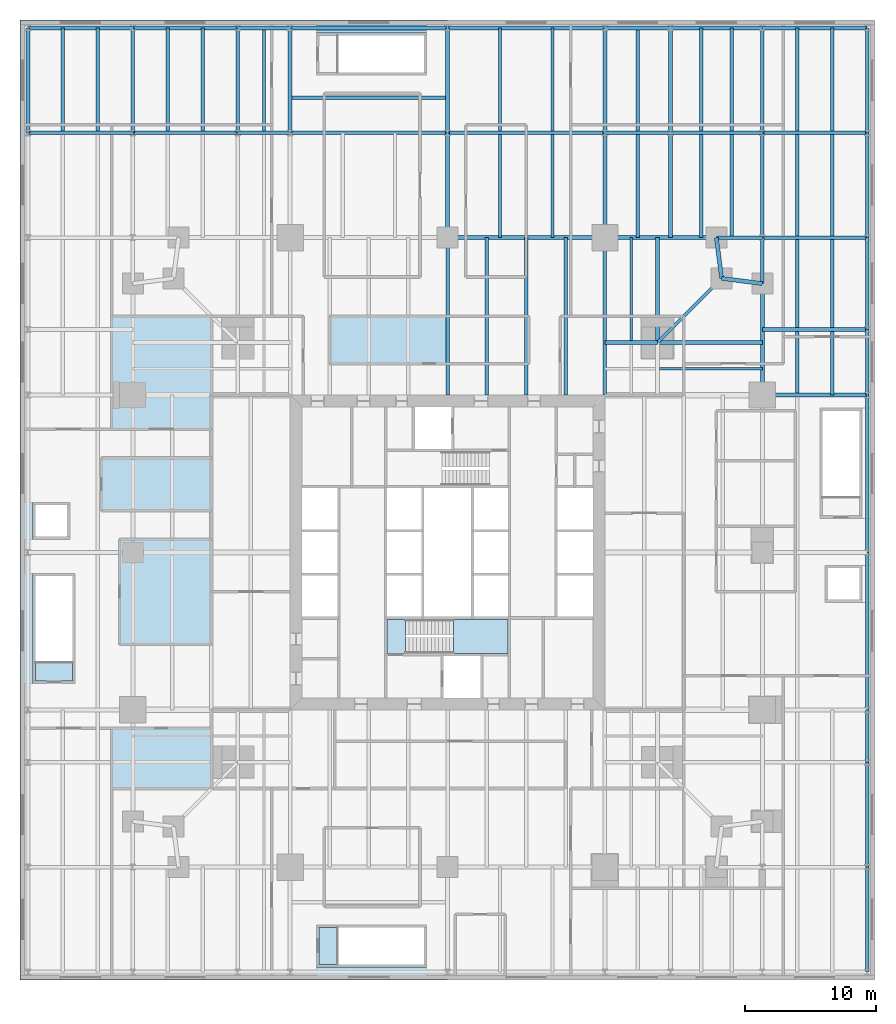
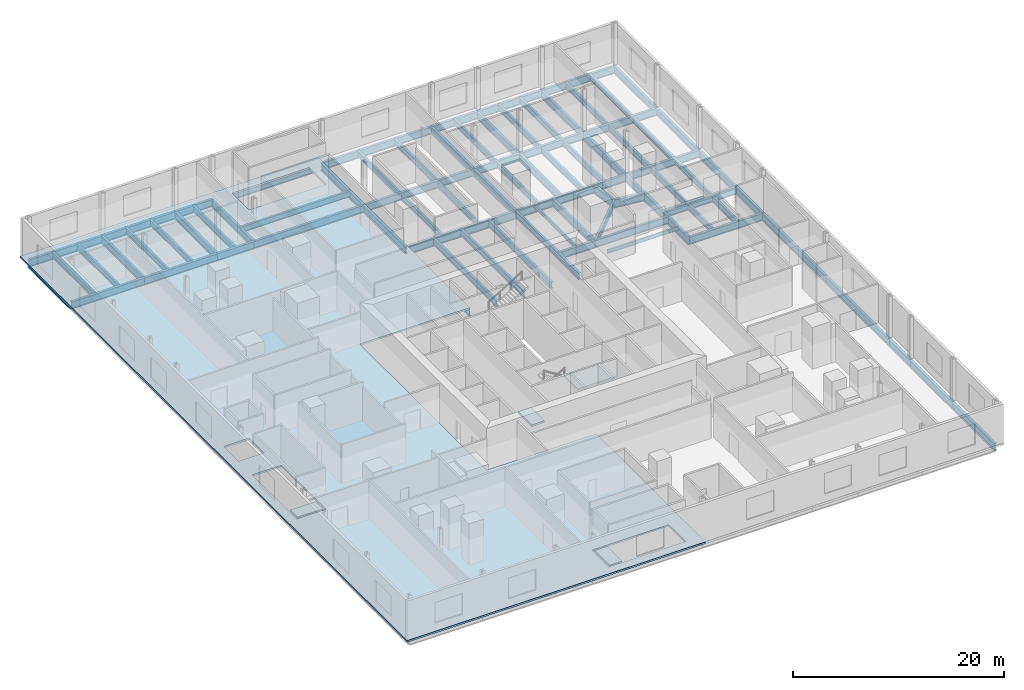
# One storey, part 7 of 15: 82 beams, 5 slabs, 1 element without a shape of its own.
"""IFC4 building model written with IfcOpenShell, lengths in metres."""

from ifc_helpers import new_model, si_unit, direction, frame, origin, origin_2d, place, context, subcontext, project, spatial, polyline, i_section, outline, extrude, material, layer, layer_set, material_profile, profile_set, type_object, element, aggregate, save


model = new_model("IFC4")

# Units and contexts
model_context = context("Model", 3, precision=1e-05, world=origin(), true_north=direction((0.0, 1.0)))
body_context = subcontext(model_context, "Body", "Model", "MODEL_VIEW")
ifc_project = project(units=[si_unit("LENGTHUNIT", "METRE"), si_unit("AREAUNIT", "SQUARE_METRE"), si_unit("VOLUMEUNIT", "CUBIC_METRE"), si_unit("PLANEANGLEUNIT", "RADIAN"), si_unit("MASSUNIT", "GRAM", prefix="KILO")], contexts=[model_context])

# Site, building, storey
site_placement = place(None, origin())
site = spatial("IfcSite", under=ifc_project, at=site_placement, CompositionType="ELEMENT")
building_placement = place(site_placement, origin())
building = spatial("IfcBuilding", under=site, at=building_placement, Name="Fenwick Lantern Interchange", CompositionType="ELEMENT")
storey_placement = place(building_placement, frame((0.0, 0.0, 26.199951171875)))
storey = spatial("IfcBuildingStorey", under=building, at=storey_placement, Name="L05", CompositionType="ELEMENT", Elevation=26.199951171875)

# Beams
ifc_material_1 = material(Name="Steel ASTM A992 Grade 50", Category="steel")
ifc_material_profile_1 = material_profile(ifc_material_1, i_section(OverallWidth=0.309814453125, OverallDepth=0.949951171875, WebThickness=0.0244140625, FlangeThickness=0.0439453125, at=origin_2d()), Name="W36X256")
ifc_profile_set_1 = profile_set([ifc_material_profile_1], Name="Steel ASTM A992 Grade 50")
beam_type_1 = type_object("IfcBeamType", Name="EDGE BEAM W36X256", PredefinedType="SPANDREL", material=ifc_profile_set_1)
beam_1_placement = place(storey_placement, frame((49.0, 37.0, -0.675048828125), z_axis=(0.0, 1.0, 0.0), x_axis=(-1.0, 0.0, 0.0)))
element("IfcBeam", 1, at=beam_1_placement, inside=storey, type_object=beam_type_1, Name="L05/FR/E/EB4", PredefinedType="SPANDREL", context=body_context, shape_type="SweptSolid", body=[
    extrude(i_section(OverallWidth=0.309814453125, OverallDepth=0.949951171875, WebThickness=0.0244140625, FlangeThickness=0.0439453125, at=origin_2d()), origin(), (0.0, 0.0, 1.0), 8.5),
])
for number, where, z_axis, x_axis, name in (
    (2, (49.0, 45.5, -0.675048828125), (-0.991782342897, 0.127936641807, 0.0), (-0.127936641807, -0.991782342897, 0.0), "L05/FR/E/EBR1"),
    (3, (45.89990234375, 45.89990234375, -0.675048828125), (-0.127936641807, 0.991782342897, 0.0), (-0.991782342897, -0.127936641807, 0.0), "L05/FR/E/EBR2"),
):
    element("IfcBeam", number, at=place(storey_placement, frame(where, z_axis=z_axis, x_axis=x_axis)), inside=storey, type_object=beam_type_1, Name=name, PredefinedType="SPANDREL", context=body_context, shape_type="SweptSolid", body=[
        extrude(i_section(OverallWidth=0.309814453125, OverallDepth=0.949951171875, WebThickness=0.0244140625, FlangeThickness=0.0439453125, at=origin_2d()), origin(), (0.0, 0.0, 1.0), 3.125732421875),
    ])
beam_2_placement = place(storey_placement, frame((45.5, 49.0, -0.675048828125), z_axis=(-1.0, 0.0, 0.0), x_axis=(0.0, -1.0, 0.0)))
element("IfcBeam", 4, at=beam_2_placement, inside=storey, type_object=beam_type_1, Name="L05/FR/N/EB1", PredefinedType="SPANDREL", context=body_context, shape_type="SweptSolid", body=[
    extrude(i_section(OverallWidth=0.309814453125, OverallDepth=0.949951171875, WebThickness=0.0244140625, FlangeThickness=0.0439453125, at=origin_2d()), origin(), (0.0, 0.0, 1.0), 8.5),
])
beam_3_placement = place(storey_placement, frame((37.0, 49.0, -0.675048828125), z_axis=(-1.0, 0.0, 0.0), x_axis=(0.0, -1.0, 0.0)))
element("IfcBeam", 5, at=beam_3_placement, inside=storey, type_object=beam_type_1, Name="L05/FR/N/EB2", PredefinedType="SPANDREL", context=body_context, shape_type="SweptSolid", body=[
    extrude(i_section(OverallWidth=0.309814453125, OverallDepth=0.949951171875, WebThickness=0.0244140625, FlangeThickness=0.0439453125, at=origin_2d()), origin(), (0.0, 0.0, 1.0), 12.0),
])
ifc_material_profile_2 = material_profile(ifc_material_1, i_section(OverallWidth=0.2666015625, OverallDepth=0.7568359375, WebThickness=0.013916015625, FlangeThickness=0.019287109375, at=origin_2d()), Name="W30X108")
ifc_profile_set_2 = profile_set([ifc_material_profile_2], Name="Steel ASTM A992 Grade 50")
beam_type_2 = type_object("IfcBeamType", Name="FLOOR BEAM W30X108", PredefinedType="BEAM", material=ifc_profile_set_2)
for number, where, z_axis, x_axis, name in (
    (6, (34.0, 49.0, -0.578369140625), (0.0, -1.0, 0.0), (1.0, 0.0, 0.0), "L05/FR/N/R02"),
    (7, (31.0, 49.0, -0.578369140625), (0.0, -1.0, 0.0), (1.0, 0.0, 0.0), "L05/FR/N/R03"),
    (8, (28.0, 49.0, -0.578369140625), (0.0, -1.0, 0.0), (1.0, 0.0, 0.0), "L05/FR/N/R04"),
):
    element("IfcBeam", number, at=place(storey_placement, frame(where, z_axis=z_axis, x_axis=x_axis)), inside=storey, type_object=beam_type_2, Name=name, PredefinedType="BEAM", context=body_context, shape_type="SweptSolid", body=[
        extrude(i_section(OverallWidth=0.2666015625, OverallDepth=0.7568359375, WebThickness=0.013916015625, FlangeThickness=0.019287109375, at=origin_2d()), origin(), (0.0, 0.0, 1.0), 12.0),
    ])
ifc_material_profile_3 = material_profile(ifc_material_1, i_section(OverallWidth=0.177734375, OverallDepth=0.406494140625, WebThickness=0.0078125, FlangeThickness=0.012939453125, at=origin_2d()), Name="W16X40")
ifc_profile_set_3 = profile_set([ifc_material_profile_3], Name="Steel ASTM A992 Grade 50")
beam_type_3 = type_object("IfcBeamType", Name="INFILL BEAM W16X40", PredefinedType="JOIST", material=ifc_profile_set_3)
for number, where, z_axis, x_axis, name in (
    (9, (39.0, 49.0, -0.403076171875), (0.0, -1.0, 0.0), (1.0, 0.0, 0.0), "L05/FR/N/J1"),
    (10, (49.0, 39.0, -0.403076171875), (-1.0, 0.0, 0.0), (0.0, -1.0, 0.0), "L05/FR/N/J3"),
):
    element("IfcBeam", number, at=place(storey_placement, frame(where, z_axis=z_axis, x_axis=x_axis)), inside=storey, type_object=beam_type_3, Name=name, PredefinedType="JOIST", context=body_context, shape_type="SweptSolid", body=[
        extrude(i_section(OverallWidth=0.177734375, OverallDepth=0.406494140625, WebThickness=0.0078125, FlangeThickness=0.012939453125, at=origin_2d()), origin(), (0.0, 0.0, 1.0), 7.85400390625),
    ])
ifc_material_profile_4 = material_profile(ifc_material_1, i_section(OverallWidth=0.2919921875, OverallDepth=0.845703125, WebThickness=0.015380859375, FlangeThickness=0.0244140625, at=origin_2d()), Name="W33X141")
ifc_profile_set_4 = profile_set([ifc_material_profile_4], Name="Steel ASTM A992 Grade 50")
beam_type_4 = type_object("IfcBeamType", Name="MEGA COLUMN BEAM W33X141", PredefinedType="BEAM", material=ifc_profile_set_4)
for number, where, z_axis, x_axis, name in (
    (11, (41.0, 41.0, -0.622802734375), (0.0, 1.0, 0.0), (-1.0, 0.0, 0.0), "L05/FR/N/MB1"),
    (12, (41.0, 41.0, -0.622802734375), (1.0, 0.0, 0.0), (0.0, 1.0, 0.0), "L05/FR/N/MB2"),
):
    element("IfcBeam", number, at=place(storey_placement, frame(where, z_axis=z_axis, x_axis=x_axis)), inside=storey, type_object=beam_type_4, Name=name, PredefinedType="BEAM", context=body_context, shape_type="SweptSolid", body=[
        extrude(i_section(OverallWidth=0.2919921875, OverallDepth=0.845703125, WebThickness=0.015380859375, FlangeThickness=0.0244140625, at=origin_2d()), origin(), (0.0, 0.0, 1.0), 8.0),
    ])
beam_4_placement = place(storey_placement, frame((41.0, 41.0, -0.622802734375), z_axis=(-1.0, 0.0, 0.0), x_axis=(0.0, -1.0, 0.0)))
element("IfcBeam", 13, at=beam_4_placement, inside=storey, type_object=beam_type_4, Name="L05/FR/N/MB3", PredefinedType="BEAM", context=body_context, shape_type="SweptSolid", body=[
    extrude(i_section(OverallWidth=0.2919921875, OverallDepth=0.845703125, WebThickness=0.015380859375, FlangeThickness=0.0244140625, at=origin_2d()), origin(), (0.0, 0.0, 1.0), 4.0),
])
ifc_material_profile_5 = material_profile(ifc_material_1, i_section(OverallWidth=0.2666015625, OverallDepth=0.76953125, WebThickness=0.015625, FlangeThickness=0.025390625, at=origin_2d()), Name="W30X132")
ifc_profile_set_5 = profile_set([ifc_material_profile_5], Name="Steel ASTM A992 Grade 50")
beam_type_5 = type_object("IfcBeamType", Name="MOMENT-CONNECTED GIRDER W30X132", PredefinedType="BEAM", material=ifc_profile_set_5)
for number, where, z_axis, x_axis, name in (
    (14, (37.0, 49.0, -0.584716796875), (0.0, -1.0, 0.0), (1.0, 0.0, 0.0), "L05/FR/N/R01"),
    (15, (25.0, 49.0, -0.584716796875), (0.0, -1.0, 0.0), (1.0, 0.0, 0.0), "L05/FR/N/R05"),
):
    element("IfcBeam", number, at=place(storey_placement, frame(where, z_axis=z_axis, x_axis=x_axis)), inside=storey, type_object=beam_type_5, Name=name, PredefinedType="BEAM", context=body_context, shape_type="SweptSolid", body=[
        extrude(i_section(OverallWidth=0.2666015625, OverallDepth=0.76953125, WebThickness=0.015625, FlangeThickness=0.025390625, at=origin_2d()), origin(), (0.0, 0.0, 1.0), 12.0),
    ])
ifc_material_profile_6 = material_profile(ifc_material_1, i_section(OverallWidth=0.2919921875, OverallDepth=0.845703125, WebThickness=0.015380859375, FlangeThickness=0.0244140625, at=origin_2d()), Name="W33X141")
ifc_profile_set_6 = profile_set([ifc_material_profile_6], Name="Steel ASTM A992 Grade 50")
beam_type_6 = type_object("IfcBeamType", Name="MOMENT-CONNECTED PODIUM GIRDER W33X141", PredefinedType="BEAM", material=ifc_profile_set_6)
for number, where, z_axis, x_axis, name in (
    (16, (49.0, 37.0, -0.622802734375), (1.0, 0.0, 0.0), (0.0, 1.0, 0.0), "L05/PF/G020"),
    (17, (49.0, 42.0, -0.622802734375), (1.0, 0.0, 0.0), (0.0, 1.0, 0.0), "L05/PF/G022"),
):
    element("IfcBeam", number, at=place(storey_placement, frame(where, z_axis=z_axis, x_axis=x_axis)), inside=storey, type_object=beam_type_6, Name=name, PredefinedType="BEAM", context=body_context, shape_type="SweptSolid", body=[
        extrude(i_section(OverallWidth=0.2919921875, OverallDepth=0.845703125, WebThickness=0.015380859375, FlangeThickness=0.0244140625, at=origin_2d()), origin(), (0.0, 0.0, 1.0), 8.0),
    ])
beam_5_placement = place(storey_placement, frame((45.5, 49.0, -0.622802734375), z_axis=(1.0, 0.0, 0.0), x_axis=(0.0, 1.0, 0.0)))
element("IfcBeam", 18, at=beam_5_placement, inside=storey, type_object=beam_type_6, Name="L05/PF/G025", PredefinedType="BEAM", context=body_context, shape_type="SweptSolid", body=[
    extrude(i_section(OverallWidth=0.2919921875, OverallDepth=0.845703125, WebThickness=0.015380859375, FlangeThickness=0.0244140625, at=origin_2d()), origin(), (0.0, 0.0, 1.0), 3.5),
])
for number, where, z_axis, x_axis, name in (
    (19, (49.0, 49.0, -0.622802734375), (1.0, 0.0, 0.0), (0.0, 1.0, 0.0), "L05/PF/G026"),
    (20, (-7.0, 57.0, -0.622802734375), (1.0, 0.0, 0.0), (0.0, 1.0, 0.0), "L05/PF/G027"),
    (21, (1.0, 57.0, -0.622802734375), (1.0, 0.0, 0.0), (0.0, 1.0, 0.0), "L05/PF/G028"),
):
    element("IfcBeam", number, at=place(storey_placement, frame(where, z_axis=z_axis, x_axis=x_axis)), inside=storey, type_object=beam_type_6, Name=name, PredefinedType="BEAM", context=body_context, shape_type="SweptSolid", body=[
        extrude(i_section(OverallWidth=0.2919921875, OverallDepth=0.845703125, WebThickness=0.015380859375, FlangeThickness=0.0244140625, at=origin_2d()), origin(), (0.0, 0.0, 1.0), 8.0),
    ])
beam_6_placement = place(storey_placement, frame((9.0, 57.0, -0.622802734375), z_axis=(1.0, 0.0, 0.0), x_axis=(0.0, 1.0, 0.0)))
element("IfcBeam", 22, at=beam_6_placement, inside=storey, type_object=beam_type_6, Name="L05/PF/G029", PredefinedType="BEAM", context=body_context, shape_type="SweptSolid", body=[
    extrude(i_section(OverallWidth=0.2919921875, OverallDepth=0.845703125, WebThickness=0.015380859375, FlangeThickness=0.0244140625, at=origin_2d()), origin(), (0.0, 0.0, 1.0), 4.0),
])
for number, where, z_axis, x_axis, name in (
    (23, (13.0, 57.0, -0.622802734375), (1.0, 0.0, 0.0), (0.0, 1.0, 0.0), "L05/PF/G030"),
    (24, (25.0, 57.0, -0.622802734375), (1.0, 0.0, 0.0), (0.0, 1.0, 0.0), "L05/PF/G031"),
):
    element("IfcBeam", number, at=place(storey_placement, frame(where, z_axis=z_axis, x_axis=x_axis)), inside=storey, type_object=beam_type_6, Name=name, PredefinedType="BEAM", context=body_context, shape_type="SweptSolid", body=[
        extrude(i_section(OverallWidth=0.2919921875, OverallDepth=0.845703125, WebThickness=0.015380859375, FlangeThickness=0.0244140625, at=origin_2d()), origin(), (0.0, 0.0, 1.0), 12.0),
    ])
beam_7_placement = place(storey_placement, frame((37.0, 57.0, -0.622802734375), z_axis=(1.0, 0.0, 0.0), x_axis=(0.0, 1.0, 0.0)))
element("IfcBeam", 25, at=beam_7_placement, inside=storey, type_object=beam_type_6, Name="L05/PF/G032", PredefinedType="BEAM", context=body_context, shape_type="SweptSolid", body=[
    extrude(i_section(OverallWidth=0.2919921875, OverallDepth=0.845703125, WebThickness=0.015380859375, FlangeThickness=0.0244140625, at=origin_2d()), origin(), (0.0, 0.0, 1.0), 5.0),
])
beam_8_placement = place(storey_placement, frame((42.0, 57.0, -0.622802734375), z_axis=(1.0, 0.0, 0.0), x_axis=(0.0, 1.0, 0.0)))
element("IfcBeam", 26, at=beam_8_placement, inside=storey, type_object=beam_type_6, Name="L05/PF/G033", PredefinedType="BEAM", context=body_context, shape_type="SweptSolid", body=[
    extrude(i_section(OverallWidth=0.2919921875, OverallDepth=0.845703125, WebThickness=0.015380859375, FlangeThickness=0.0244140625, at=origin_2d()), origin(), (0.0, 0.0, 1.0), 7.0),
])
for number, where, z_axis, x_axis, name in (
    (27, (49.0, 57.0, -0.622802734375), (1.0, 0.0, 0.0), (0.0, 1.0, 0.0), "L05/PF/G034"),
    (28, (-7.0, 65.0, -0.622802734375), (1.0, 0.0, 0.0), (0.0, 1.0, 0.0), "L05/PF/G035"),
    (29, (1.0, 65.0, -0.622802734375), (1.0, 0.0, 0.0), (0.0, 1.0, 0.0), "L05/PF/G036"),
):
    element("IfcBeam", number, at=place(storey_placement, frame(where, z_axis=z_axis, x_axis=x_axis)), inside=storey, type_object=beam_type_6, Name=name, PredefinedType="BEAM", context=body_context, shape_type="SweptSolid", body=[
        extrude(i_section(OverallWidth=0.2919921875, OverallDepth=0.845703125, WebThickness=0.015380859375, FlangeThickness=0.0244140625, at=origin_2d()), origin(), (0.0, 0.0, 1.0), 8.0),
    ])
beam_9_placement = place(storey_placement, frame((9.0, 65.0, -0.622802734375), z_axis=(1.0, 0.0, 0.0), x_axis=(0.0, 1.0, 0.0)))
element("IfcBeam", 30, at=beam_9_placement, inside=storey, type_object=beam_type_6, Name="L05/PF/G037", PredefinedType="BEAM", context=body_context, shape_type="SweptSolid", body=[
    extrude(i_section(OverallWidth=0.2919921875, OverallDepth=0.845703125, WebThickness=0.015380859375, FlangeThickness=0.0244140625, at=origin_2d()), origin(), (0.0, 0.0, 1.0), 4.0),
])
for number, where, z_axis, x_axis, name in (
    (31, (13.0, 65.0, -0.622802734375), (1.0, 0.0, 0.0), (0.0, 1.0, 0.0), "L05/PF/G038"),
    (32, (25.0, 65.0, -0.622802734375), (1.0, 0.0, 0.0), (0.0, 1.0, 0.0), "L05/PF/G039"),
):
    element("IfcBeam", number, at=place(storey_placement, frame(where, z_axis=z_axis, x_axis=x_axis)), inside=storey, type_object=beam_type_6, Name=name, PredefinedType="BEAM", context=body_context, shape_type="SweptSolid", body=[
        extrude(i_section(OverallWidth=0.2919921875, OverallDepth=0.845703125, WebThickness=0.015380859375, FlangeThickness=0.0244140625, at=origin_2d()), origin(), (0.0, 0.0, 1.0), 12.0),
    ])
beam_10_placement = place(storey_placement, frame((37.0, 65.0, -0.622802734375), z_axis=(1.0, 0.0, 0.0), x_axis=(0.0, 1.0, 0.0)))
element("IfcBeam", 33, at=beam_10_placement, inside=storey, type_object=beam_type_6, Name="L05/PF/G040", PredefinedType="BEAM", context=body_context, shape_type="SweptSolid", body=[
    extrude(i_section(OverallWidth=0.2919921875, OverallDepth=0.845703125, WebThickness=0.015380859375, FlangeThickness=0.0244140625, at=origin_2d()), origin(), (0.0, 0.0, 1.0), 5.0),
])
beam_11_placement = place(storey_placement, frame((42.0, 65.0, -0.622802734375), z_axis=(1.0, 0.0, 0.0), x_axis=(0.0, 1.0, 0.0)))
element("IfcBeam", 34, at=beam_11_placement, inside=storey, type_object=beam_type_6, Name="L05/PF/G041", PredefinedType="BEAM", context=body_context, shape_type="SweptSolid", body=[
    extrude(i_section(OverallWidth=0.2919921875, OverallDepth=0.845703125, WebThickness=0.015380859375, FlangeThickness=0.0244140625, at=origin_2d()), origin(), (0.0, 0.0, 1.0), 7.0),
])
for number, where, z_axis, x_axis, name in (
    (35, (49.0, 65.0, -0.622802734375), (1.0, 0.0, 0.0), (0.0, 1.0, 0.0), "L05/PF/G042"),
    (36, (-7.0, 57.0, -0.622802734375), (0.0, 1.0, 0.0), (-1.0, 0.0, 0.0), "L05/PF/G051"),
    (37, (1.0, 57.0, -0.622802734375), (0.0, 1.0, 0.0), (-1.0, 0.0, 0.0), "L05/PF/G056"),
    (38, (9.0, 57.0, -0.622802734375), (0.0, 1.0, 0.0), (-1.0, 0.0, 0.0), "L05/PF/G059"),
    (39, (13.0, 57.0, -0.622802734375), (0.0, 1.0, 0.0), (-1.0, 0.0, 0.0), "L05/PF/G062"),
    (40, (25.0, 49.0, -0.622802734375), (0.0, 1.0, 0.0), (-1.0, 0.0, 0.0), "L05/PF/G064"),
    (41, (25.0, 57.0, -0.622802734375), (0.0, 1.0, 0.0), (-1.0, 0.0, 0.0), "L05/PF/G065"),
    (42, (37.0, 49.0, -0.622802734375), (0.0, 1.0, 0.0), (-1.0, 0.0, 0.0), "L05/PF/G067"),
    (43, (37.0, 57.0, -0.622802734375), (0.0, 1.0, 0.0), (-1.0, 0.0, 0.0), "L05/PF/G068"),
    (44, (42.0, 49.0, -0.622802734375), (0.0, 1.0, 0.0), (-1.0, 0.0, 0.0), "L05/PF/G070"),
    (45, (42.0, 57.0, -0.622802734375), (0.0, 1.0, 0.0), (-1.0, 0.0, 0.0), "L05/PF/G071"),
):
    element("IfcBeam", number, at=place(storey_placement, frame(where, z_axis=z_axis, x_axis=x_axis)), inside=storey, type_object=beam_type_6, Name=name, PredefinedType="BEAM", context=body_context, shape_type="SweptSolid", body=[
        extrude(i_section(OverallWidth=0.2919921875, OverallDepth=0.845703125, WebThickness=0.015380859375, FlangeThickness=0.0244140625, at=origin_2d()), origin(), (0.0, 0.0, 1.0), 8.0),
    ])
beam_12_placement = place(storey_placement, frame((49.0, 45.5, -0.622802734375), z_axis=(0.0, 1.0, 0.0), x_axis=(-1.0, 0.0, 0.0)))
element("IfcBeam", 46, at=beam_12_placement, inside=storey, type_object=beam_type_6, Name="L05/PF/G074", PredefinedType="BEAM", context=body_context, shape_type="SweptSolid", body=[
    extrude(i_section(OverallWidth=0.2919921875, OverallDepth=0.845703125, WebThickness=0.015380859375, FlangeThickness=0.0244140625, at=origin_2d()), origin(), (0.0, 0.0, 1.0), 3.5),
])
for number, where, z_axis, x_axis, name in (
    (47, (49.0, 49.0, -0.622802734375), (0.0, 1.0, 0.0), (-1.0, 0.0, 0.0), "L05/PF/G075"),
    (48, (49.0, 57.0, -0.622802734375), (0.0, 1.0, 0.0), (-1.0, 0.0, 0.0), "L05/PF/G076"),
    (49, (57.0, -7.0, -0.622802734375), (0.0, 1.0, 0.0), (-1.0, 0.0, 0.0), "L05/PF/G077"),
    (50, (57.0, 1.0, -0.622802734375), (0.0, 1.0, 0.0), (-1.0, 0.0, 0.0), "L05/PF/G078"),
):
    element("IfcBeam", number, at=place(storey_placement, frame(where, z_axis=z_axis, x_axis=x_axis)), inside=storey, type_object=beam_type_6, Name=name, PredefinedType="BEAM", context=body_context, shape_type="SweptSolid", body=[
        extrude(i_section(OverallWidth=0.2919921875, OverallDepth=0.845703125, WebThickness=0.015380859375, FlangeThickness=0.0244140625, at=origin_2d()), origin(), (0.0, 0.0, 1.0), 8.0),
    ])
beam_13_placement = place(storey_placement, frame((57.0, 9.0, -0.622802734375), z_axis=(0.0, 1.0, 0.0), x_axis=(-1.0, 0.0, 0.0)))
element("IfcBeam", 51, at=beam_13_placement, inside=storey, type_object=beam_type_6, Name="L05/PF/G079", PredefinedType="BEAM", context=body_context, shape_type="SweptSolid", body=[
    extrude(i_section(OverallWidth=0.2919921875, OverallDepth=0.845703125, WebThickness=0.015380859375, FlangeThickness=0.0244140625, at=origin_2d()), origin(), (0.0, 0.0, 1.0), 4.0),
])
for number, where, z_axis, x_axis, name in (
    (52, (57.0, 13.0, -0.622802734375), (0.0, 1.0, 0.0), (-1.0, 0.0, 0.0), "L05/PF/G080"),
    (53, (57.0, 25.0, -0.622802734375), (0.0, 1.0, 0.0), (-1.0, 0.0, 0.0), "L05/PF/G081"),
):
    element("IfcBeam", number, at=place(storey_placement, frame(where, z_axis=z_axis, x_axis=x_axis)), inside=storey, type_object=beam_type_6, Name=name, PredefinedType="BEAM", context=body_context, shape_type="SweptSolid", body=[
        extrude(i_section(OverallWidth=0.2919921875, OverallDepth=0.845703125, WebThickness=0.015380859375, FlangeThickness=0.0244140625, at=origin_2d()), origin(), (0.0, 0.0, 1.0), 12.0),
    ])
beam_14_placement = place(storey_placement, frame((57.0, 37.0, -0.622802734375), z_axis=(0.0, 1.0, 0.0), x_axis=(-1.0, 0.0, 0.0)))
element("IfcBeam", 54, at=beam_14_placement, inside=storey, type_object=beam_type_6, Name="L05/PF/G082", PredefinedType="BEAM", context=body_context, shape_type="SweptSolid", body=[
    extrude(i_section(OverallWidth=0.2919921875, OverallDepth=0.845703125, WebThickness=0.015380859375, FlangeThickness=0.0244140625, at=origin_2d()), origin(), (0.0, 0.0, 1.0), 5.0),
])
beam_15_placement = place(storey_placement, frame((57.0, 42.0, -0.622802734375), z_axis=(0.0, 1.0, 0.0), x_axis=(-1.0, 0.0, 0.0)))
element("IfcBeam", 55, at=beam_15_placement, inside=storey, type_object=beam_type_6, Name="L05/PF/G083", PredefinedType="BEAM", context=body_context, shape_type="SweptSolid", body=[
    extrude(i_section(OverallWidth=0.2919921875, OverallDepth=0.845703125, WebThickness=0.015380859375, FlangeThickness=0.0244140625, at=origin_2d()), origin(), (0.0, 0.0, 1.0), 7.0),
])
for number, where, z_axis, x_axis, name in (
    (56, (57.0, 49.0, -0.622802734375), (0.0, 1.0, 0.0), (-1.0, 0.0, 0.0), "L05/PF/G084"),
    (57, (57.0, 57.0, -0.622802734375), (0.0, 1.0, 0.0), (-1.0, 0.0, 0.0), "L05/PF/G085"),
):
    element("IfcBeam", number, at=place(storey_placement, frame(where, z_axis=z_axis, x_axis=x_axis)), inside=storey, type_object=beam_type_6, Name=name, PredefinedType="BEAM", context=body_context, shape_type="SweptSolid", body=[
        extrude(i_section(OverallWidth=0.2919921875, OverallDepth=0.845703125, WebThickness=0.015380859375, FlangeThickness=0.0244140625, at=origin_2d()), origin(), (0.0, 0.0, 1.0), 8.0),
    ])
ifc_material_profile_7 = material_profile(ifc_material_1, i_section(OverallWidth=0.2666015625, OverallDepth=0.7568359375, WebThickness=0.013916015625, FlangeThickness=0.019287109375, at=origin_2d()), Name="W30X108")
ifc_profile_set_7 = profile_set([ifc_material_profile_7], Name="Steel ASTM A992 Grade 50")
beam_type_7 = type_object("IfcBeamType", Name="NOTCH BEAM W30X108", PredefinedType="BEAM", material=ifc_profile_set_7)
beam_16_placement = place(storey_placement, frame((41.0, 41.0, -0.578369140625), z_axis=(0.707106781187, 0.707106781187, 0.0), x_axis=(-0.707106781187, 0.707106781187, 0.0)))
element("IfcBeam", 58, at=beam_16_placement, inside=storey, type_object=beam_type_7, Name="L05/FR/N/TG", PredefinedType="BEAM", context=body_context, shape_type="SweptSolid", body=[
    extrude(i_section(OverallWidth=0.2666015625, OverallDepth=0.7568359375, WebThickness=0.013916015625, FlangeThickness=0.019287109375, at=origin_2d()), origin(), (0.0, 0.0, 1.0), 6.929443359375),
])
ifc_material_profile_8 = material_profile(ifc_material_1, i_section(OverallWidth=0.25390625, OverallDepth=0.683349609375, WebThickness=0.012451171875, FlangeThickness=0.01904296875, at=origin_2d()), Name="W27X94")
ifc_profile_set_8 = profile_set([ifc_material_profile_8], Name="Steel ASTM A992 Grade 50")
beam_type_8 = type_object("IfcBeamType", Name="PODIUM BEAM W27X94", PredefinedType="JOIST", material=ifc_profile_set_8)
for number, where, z_axis, x_axis, name in (
    (59, (-4.333251953125, 57.14599609375, -0.54150390625), (0.0, 1.0, 0.0), (-1.0, 0.0, 0.0), "L05/PF/J100"),
    (60, (-1.666748046875, 57.14599609375, -0.54150390625), (0.0, 1.0, 0.0), (-1.0, 0.0, 0.0), "L05/PF/J101"),
    (61, (3.666748046875, 57.14599609375, -0.54150390625), (0.0, 1.0, 0.0), (-1.0, 0.0, 0.0), "L05/PF/J106"),
    (62, (6.333251953125, 57.14599609375, -0.54150390625), (0.0, 1.0, 0.0), (-1.0, 0.0, 0.0), "L05/PF/J107"),
    (63, (11.0, 57.14599609375, -0.54150390625), (0.0, 1.0, 0.0), (-1.0, 0.0, 0.0), "L05/PF/J110"),
):
    element("IfcBeam", number, at=place(storey_placement, frame(where, z_axis=z_axis, x_axis=x_axis)), inside=storey, type_object=beam_type_8, Name=name, PredefinedType="JOIST", context=body_context, shape_type="SweptSolid", body=[
        extrude(i_section(OverallWidth=0.25390625, OverallDepth=0.683349609375, WebThickness=0.012451171875, FlangeThickness=0.01904296875, at=origin_2d()), origin(), (0.0, 0.0, 1.0), 7.85400390625),
    ])
beam_17_placement = place(storey_placement, frame((13.0, 59.666748046875, -0.54150390625), z_axis=(1.0, 0.0, 0.0), x_axis=(0.0, 1.0, 0.0)))
element("IfcBeam", 64, at=beam_17_placement, inside=storey, type_object=beam_type_8, Name="L05/PF/J114", PredefinedType="JOIST", context=body_context, shape_type="SweptSolid", body=[
    extrude(i_section(OverallWidth=0.25390625, OverallDepth=0.683349609375, WebThickness=0.012451171875, FlangeThickness=0.01904296875, at=origin_2d()), origin(), (0.0, 0.0, 1.0), 12.0),
])
for number, where, z_axis, x_axis, name in (
    (65, (29.0, 49.0, -0.54150390625), (0.0, 1.0, 0.0), (-1.0, 0.0, 0.0), "L05/PF/J117"),
    (66, (33.0, 49.0, -0.54150390625), (0.0, 1.0, 0.0), (-1.0, 0.0, 0.0), "L05/PF/J118"),
    (67, (29.0, 57.14599609375, -0.54150390625), (0.0, 1.0, 0.0), (-1.0, 0.0, 0.0), "L05/PF/J119"),
    (68, (33.0, 57.14599609375, -0.54150390625), (0.0, 1.0, 0.0), (-1.0, 0.0, 0.0), "L05/PF/J120"),
    (69, (39.5, 49.0, -0.54150390625), (0.0, 1.0, 0.0), (-1.0, 0.0, 0.0), "L05/PF/J122"),
    (70, (39.5, 57.14599609375, -0.54150390625), (0.0, 1.0, 0.0), (-1.0, 0.0, 0.0), "L05/PF/J123"),
    (71, (44.333251953125, 49.0, -0.54150390625), (0.0, 1.0, 0.0), (-1.0, 0.0, 0.0), "L05/PF/J126"),
    (72, (46.666748046875, 49.0, -0.54150390625), (0.0, 1.0, 0.0), (-1.0, 0.0, 0.0), "L05/PF/J127"),
    (73, (44.333251953125, 57.14599609375, -0.54150390625), (0.0, 1.0, 0.0), (-1.0, 0.0, 0.0), "L05/PF/J128"),
    (74, (46.666748046875, 57.14599609375, -0.54150390625), (0.0, 1.0, 0.0), (-1.0, 0.0, 0.0), "L05/PF/J129"),
):
    element("IfcBeam", number, at=place(storey_placement, frame(where, z_axis=z_axis, x_axis=x_axis)), inside=storey, type_object=beam_type_8, Name=name, PredefinedType="JOIST", context=body_context, shape_type="SweptSolid", body=[
        extrude(i_section(OverallWidth=0.25390625, OverallDepth=0.683349609375, WebThickness=0.012451171875, FlangeThickness=0.01904296875, at=origin_2d()), origin(), (0.0, 0.0, 1.0), 7.85400390625),
    ])
beam_18_placement = place(storey_placement, frame((51.666748046875, 37.14599609375, -0.54150390625), z_axis=(0.0, 1.0, 0.0), x_axis=(-1.0, 0.0, 0.0)))
element("IfcBeam", 75, at=beam_18_placement, inside=storey, type_object=beam_type_8, Name="L05/PF/J138", PredefinedType="JOIST", context=body_context, shape_type="SweptSolid", body=[
    extrude(i_section(OverallWidth=0.25390625, OverallDepth=0.683349609375, WebThickness=0.012451171875, FlangeThickness=0.01904296875, at=origin_2d()), origin(), (0.0, 0.0, 1.0), 4.7080078125),
])
beam_19_placement = place(storey_placement, frame((54.333251953125, 37.0, -0.54150390625), z_axis=(0.0, 1.0, 0.0), x_axis=(-1.0, 0.0, 0.0)))
element("IfcBeam", 76, at=beam_19_placement, inside=storey, type_object=beam_type_8, Name="L05/PF/J139", PredefinedType="JOIST", context=body_context, shape_type="SweptSolid", body=[
    extrude(i_section(OverallWidth=0.25390625, OverallDepth=0.683349609375, WebThickness=0.012451171875, FlangeThickness=0.01904296875, at=origin_2d()), origin(), (0.0, 0.0, 1.0), 4.85400390625),
])
for number, where, z_axis, x_axis, name in (
    (77, (51.666748046875, 42.14599609375, -0.54150390625), (0.0, 1.0, 0.0), (-1.0, 0.0, 0.0), "L05/PF/J140"),
    (78, (54.333251953125, 42.14599609375, -0.54150390625), (0.0, 1.0, 0.0), (-1.0, 0.0, 0.0), "L05/PF/J141"),
):
    element("IfcBeam", number, at=place(storey_placement, frame(where, z_axis=z_axis, x_axis=x_axis)), inside=storey, type_object=beam_type_8, Name=name, PredefinedType="JOIST", context=body_context, shape_type="SweptSolid", body=[
        extrude(i_section(OverallWidth=0.25390625, OverallDepth=0.683349609375, WebThickness=0.012451171875, FlangeThickness=0.01904296875, at=origin_2d()), origin(), (0.0, 0.0, 1.0), 6.7080078125),
    ])
for number, where, z_axis, x_axis, name in (
    (79, (51.666748046875, 49.14599609375, -0.54150390625), (0.0, 1.0, 0.0), (-1.0, 0.0, 0.0), "L05/PF/J142"),
    (80, (54.333251953125, 49.14599609375, -0.54150390625), (0.0, 1.0, 0.0), (-1.0, 0.0, 0.0), "L05/PF/J143"),
):
    element("IfcBeam", number, at=place(storey_placement, frame(where, z_axis=z_axis, x_axis=x_axis)), inside=storey, type_object=beam_type_8, Name=name, PredefinedType="JOIST", context=body_context, shape_type="SweptSolid", body=[
        extrude(i_section(OverallWidth=0.25390625, OverallDepth=0.683349609375, WebThickness=0.012451171875, FlangeThickness=0.01904296875, at=origin_2d()), origin(), (0.0, 0.0, 1.0), 7.7080078125),
    ])
for number, where, z_axis, x_axis, name in (
    (81, (51.666748046875, 57.14599609375, -0.54150390625), (0.0, 1.0, 0.0), (-1.0, 0.0, 0.0), "L05/PF/J144"),
    (82, (54.333251953125, 57.14599609375, -0.54150390625), (0.0, 1.0, 0.0), (-1.0, 0.0, 0.0), "L05/PF/J145"),
):
    element("IfcBeam", number, at=place(storey_placement, frame(where, z_axis=z_axis, x_axis=x_axis)), inside=storey, type_object=beam_type_8, Name=name, PredefinedType="JOIST", context=body_context, shape_type="SweptSolid", body=[
        extrude(i_section(OverallWidth=0.25390625, OverallDepth=0.683349609375, WebThickness=0.012451171875, FlangeThickness=0.01904296875, at=origin_2d()), origin(), (0.0, 0.0, 1.0), 7.85400390625),
    ])

# Slab
ifc_material_2 = material(Name="Concrete f'c 35 MPa", Category="concrete")
ifc_layer_1 = layer(ifc_material_2, 0.199951171875)
ifc_layer_set_1 = layer_set([ifc_layer_1], Name="Concrete f'c 35 MPa")
slab_type_1 = type_object("IfcSlabType", Name="FLOOR SLAB 200", PredefinedType="FLOOR", material=ifc_layer_set_1)
slab_1_placement = place(storey_placement, frame((0.0, 0.0, -0.199951171875)))
element("IfcSlab", 83, at=slab_1_placement, inside=storey, type_object=slab_type_1, Name="L05/SLAB/FW", PredefinedType="FLOOR", context=body_context, shape_type="SweptSolid", body=[
    extrude(outline(polyline([(-7.60009765625, -7.60009765625), (-7.60009765625, 65.60009765625), (25.0, 65.60009765625), (25.0, 37.0), (13.0, 37.0), (13.0, 13.0), (25.0, 13.0), (25.0, -7.60009765625), (-7.60009765625, -7.60009765625)]), holes=[polyline([(23.39990234375, 61.39990234375), (23.39990234375, 64.60009765625), (15.0, 64.60009765625), (15.0, 61.39990234375), (23.39990234375, 61.39990234375)]), polyline([(23.39990234375, -6.60009765625), (23.39990234375, -3.39990234375), (15.0, -3.39990234375), (15.0, -6.60009765625), (23.39990234375, -6.60009765625)]), polyline([(-3.39990234375, 15.0), (-3.39990234375, 23.39990234375), (-6.60009765625, 23.39990234375), (-6.60009765625, 15.0), (-3.39990234375, 15.0)]), polyline([(-3.800048828125, 26.0), (-3.800048828125, 28.800048828125), (-6.60009765625, 28.800048828125), (-6.60009765625, 26.0), (-3.800048828125, 26.0)])]), origin(), (0.0, 0.0, 1.0), 0.199951171875),
])

# Stair, slabs
ifc_material_3 = material(Name="Precast concrete f'c 35 MPa", Category="concrete")
stair_type = type_object("IfcStairType", Name="EXIT STAIR 1200", PredefinedType="HALF_TURN_STAIR", material=ifc_material_3)
stair_placement = place(storey_placement, origin())
stair = element("IfcStair", 84, at=stair_placement, inside=storey, type_object=stair_type, Name="Exit stair ST1", PredefinedType="HALF_TURN_STAIR")
ifc_material_4 = material(Name="Concrete f'c 35 MPa", Category="concrete")
ifc_layer_2 = layer(ifc_material_4, 0.199951171875)
ifc_layer_set_2 = layer_set([ifc_layer_2], Name="STAIR LANDING 200")
slab_type_2 = type_object("IfcSlabType", Name="STAIR LANDING 200", PredefinedType="LANDING", material=ifc_layer_set_2)
slab_2_placement = place(storey_placement, frame((0.0, 0.0, 2.199951171875)))
slab_2 = element("IfcSlab", 85, at=slab_2_placement, type_object=slab_type_2, Name="ST1 landing 1", PredefinedType="LANDING", context=body_context, shape_type="SweptSolid", body=[
    extrude(outline(polyline([(25.43994140625, 17.300048828125), (29.60009765625, 17.300048828125), (29.60009765625, 19.89990234375), (25.43994140625, 19.89990234375), (25.43994140625, 17.300048828125)])), origin(), (0.0, 0.0, 1.0), 0.2001953125),
])
slab_3_placement = place(storey_placement, frame((0.0, 0.0, -0.199951171875)))
slab_3 = element("IfcSlab", 86, at=slab_3_placement, type_object=slab_type_2, Name="ST1 landing 2", PredefinedType="LANDING", context=body_context, shape_type="SweptSolid", body=[
    extrude(outline(polyline([(20.39990234375, 17.300048828125), (21.800048828125, 17.300048828125), (21.800048828125, 19.89990234375), (20.39990234375, 19.89990234375), (20.39990234375, 17.300048828125)])), origin(), (0.0, 0.0, 1.0), 0.199951171875),
])
aggregate(stair, [slab_2, slab_3])

# Slabs
slab_4_placement = place(storey_placement, frame((0.0, 0.0, -0.199951171875)))
element("IfcSlab", 87, at=slab_4_placement, inside=storey, type_object=slab_type_2, Name="PS2 top landing", PredefinedType="LANDING", context=body_context, shape_type="SweptSolid", body=[
    extrude(outline(polyline([(15.199951171875, -6.39990234375), (16.60009765625, -6.39990234375), (16.60009765625, -3.60009765625), (15.199951171875, -3.60009765625), (15.199951171875, -6.39990234375)])), origin(), (0.0, 0.0, 1.0), 0.199951171875),
])
slab_5_placement = place(storey_placement, frame((0.0, 0.0, -0.199951171875)))
element("IfcSlab", 88, at=slab_5_placement, inside=storey, type_object=slab_type_2, Name="PS3 top landing", PredefinedType="LANDING", context=body_context, shape_type="SweptSolid", body=[
    extrude(outline(polyline([(-6.39990234375, 15.199951171875), (-3.60009765625, 15.199951171875), (-3.60009765625, 16.60009765625), (-6.39990234375, 16.60009765625), (-6.39990234375, 15.199951171875)])), origin(), (0.0, 0.0, 1.0), 0.199951171875),
])

save(model, "model.ifc")
